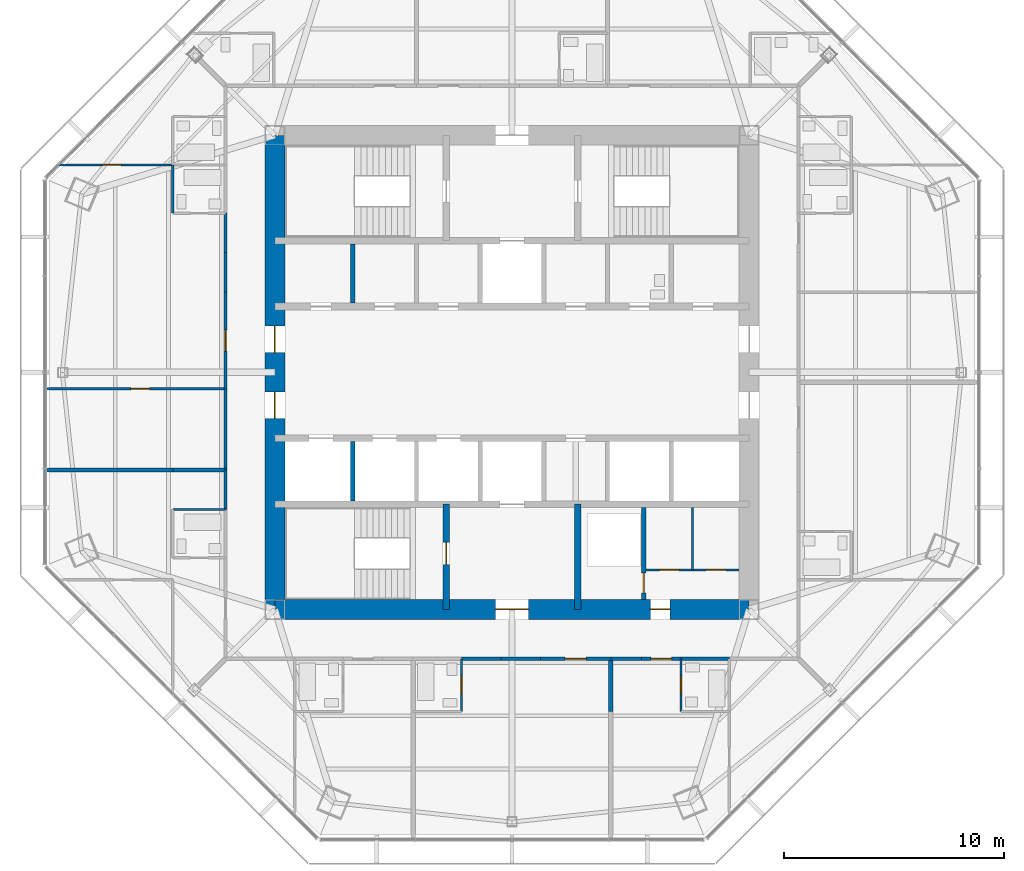
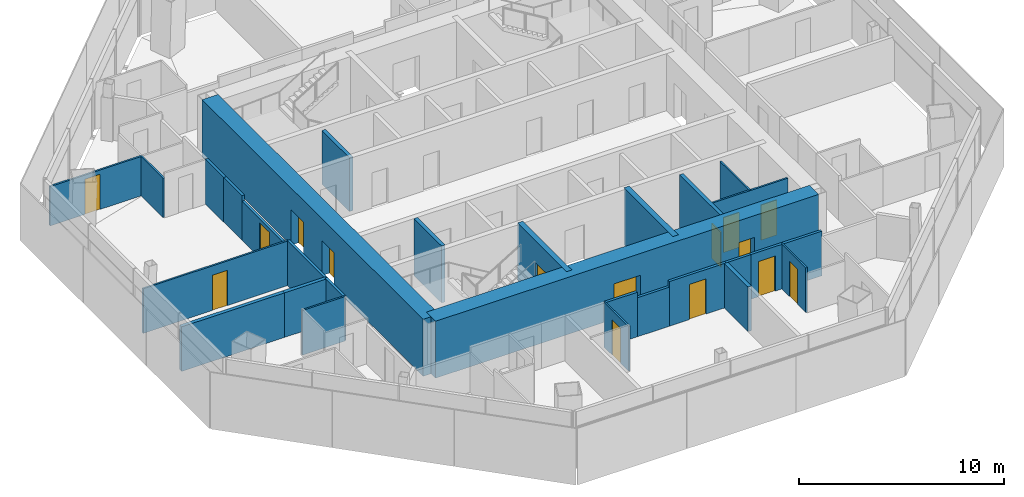
# One storey, part 9 of 14: 29 walls, 15 doors, 15 openings.
"""IFC4 building model written with IfcOpenShell, lengths in metres."""

from ifc_helpers import new_model, si_unit, direction, frame, frame_2d, origin, place, context, subcontext, project, spatial, rectangle, extrude, material, layer, layer_set, type_object, element, fill, save


model = new_model("IFC4")

# Units and contexts
model_context = context("Model", 3, precision=1e-05, world=origin(), true_north=direction((0.0, 1.0)))
body_context = subcontext(model_context, "Body", "Model", "MODEL_VIEW")
ifc_project = project(units=[si_unit("LENGTHUNIT", "METRE"), si_unit("AREAUNIT", "SQUARE_METRE"), si_unit("VOLUMEUNIT", "CUBIC_METRE"), si_unit("PLANEANGLEUNIT", "RADIAN"), si_unit("MASSUNIT", "GRAM", prefix="KILO")], contexts=[model_context])

# Site, building, storey
site_placement = place(None, origin())
site = spatial("IfcSite", under=ifc_project, at=site_placement, CompositionType="ELEMENT")
building_placement = place(site_placement, origin())
building = spatial("IfcBuilding", under=site, at=building_placement, Name="Mashrafa Tower", CompositionType="ELEMENT")
storey_placement = place(building_placement, frame((0.0, 0.0, 238.0)))
storey = spatial("IfcBuildingStorey", under=building, at=storey_placement, Name="L56", CompositionType="ELEMENT", Elevation=238.0)

# Walls
ifc_material_1 = material(Name="Gypsum board on steel studs", Category="steel")
ifc_layer_1 = layer(ifc_material_1, 0.199951171875)
ifc_layer_set_1 = layer_set([ifc_layer_1], Name="Acoustic partition 200 1 hr")
wall_type_1 = type_object("IfcWallType", Name="Acoustic partition 200 1 hr", PredefinedType="PARTITIONING", material=ifc_layer_set_1)
wall_1_placement = place(storey_placement, frame((-15.450927734375, -4.449951171875, 0.0), z_axis=(0.0, 0.0, 1.0), x_axis=(1.0, 0.0, 0.0)))
element("IfcWall", 1, at=wall_1_placement, inside=storey, type_object=wall_type_1, Name="Acoustic wall L56-078", PredefinedType="PARTITIONING", context=body_context, shape_type="SweptSolid", body=[
    extrude(rectangle(XDim=2.40087890625, YDim=0.199951171875, at=frame_2d((1.200439453125, 0.0))), origin(), (0.0, 0.0, 1.0), 2.66162109375),
])
wall_2_placement = place(storey_placement, frame((-21.263916015625, -4.449951171875, 0.0), z_axis=(0.0, 0.0, 1.0), x_axis=(1.0, 0.0, 0.0)))
element("IfcWall", 2, at=wall_2_placement, inside=storey, type_object=wall_type_1, Name="Acoustic wall L56-079", PredefinedType="PARTITIONING", context=body_context, shape_type="SweptSolid", body=[
    extrude(rectangle(XDim=5.81494140625, YDim=0.199951171875, at=frame_2d((2.907470703125, 0.0))), origin(), (0.0, 0.0, 1.0), 2.66162109375),
])
wall_3_placement = place(storey_placement, frame((4.5, -15.450927734375, 0.0), z_axis=(0.0, 0.0, 1.0), x_axis=(0.0, 1.0, 0.0)))
element("IfcWall", 3, at=wall_3_placement, inside=storey, type_object=wall_type_1, Name="Acoustic wall L56-094", PredefinedType="PARTITIONING", context=body_context, shape_type="SweptSolid", body=[
    extrude(rectangle(XDim=2.40087890625, YDim=0.199951171875, at=frame_2d((1.200439453125, 0.0))), origin(), (0.0, 0.0, 1.0), 2.66162109375),
])

# Wall, opening, door
ifc_material_2 = material(Name="Concrete masonry unit", Category="masonry")
ifc_layer_2 = layer(ifc_material_2, 0.199951171875)
ifc_layer_set_2 = layer_set([ifc_layer_2], Name="Blockwork wall 200 2 hr")
wall_type_2 = type_object("IfcWallType", Name="Blockwork wall 200 2 hr", PredefinedType="PARTITIONING", material=ifc_layer_set_2)
wall_4_placement = place(storey_placement, frame((6.0, -10.35009765625, 0.0), z_axis=(0.0, 0.0, 1.0), x_axis=(0.0, 1.0, 0.0)))
wall_4 = element("IfcWall", 4, at=wall_4_placement, inside=storey, type_object=wall_type_2, Name="Riser enclosure wall L56", PredefinedType="PARTITIONING", context=body_context, shape_type="SweptSolid", body=[
    extrude(rectangle(XDim=4.2001953125, YDim=0.199951171875, at=frame_2d((2.10009765625, 0.0))), origin(), (0.0, 0.0, 1.0), 3.199951171875),
])
opening_1_placement = place(wall_4_placement, frame((0.300048828125, 0.0, 0.0)))
opening_1 = element("IfcOpeningElement", 5, at=opening_1_placement, cuts=wall_4, Name="Opening 56.041", PredefinedType="OPENING", context=body_context, shape_type="SweptSolid", body=[
    extrude(rectangle(XDim=0.89990234375, YDim=2.10009765625, at=frame_2d((0.449951171875, 1.050048828125))), frame((0.0, 0.10986328125, 0.0), z_axis=(0.0, -1.0, 0.0), x_axis=(1.0, 0.0, 0.0)), (0.0, 0.0, 1.0), 0.219970703125),
])
ifc_material_3 = material(Name="Steel door", Category="steel")
door_type_1 = type_object("IfcDoorType", Name="Service door 900 x 2100 90 min", OperationType="USERDEFINED", PredefinedType="DOOR", material=ifc_material_3)
door_1_placement = place(opening_1_placement, origin())
door_1 = element("IfcDoor", 6, at=door_1_placement, inside=storey, type_object=door_type_1, Name="Riser door L56", OperationType="SINGLE_SWING_LEFT", OverallHeight=2.10009765625, OverallWidth=0.89990234375, PredefinedType="DOOR", context=body_context, shape_type="SweptSolid", body=[
    extrude(rectangle(XDim=0.89990234375, YDim=2.10009765625, at=frame_2d((0.449951171875, 1.050048828125))), frame((0.0, 0.02490234375, 0.0), z_axis=(0.0, -1.0, 0.0), x_axis=(1.0, 0.0, 0.0)), (0.0, 0.0, 1.0), 0.050048828125),
])
fill(opening_1, door_1)

ifc_material_4 = material(Name="Concrete C50/60", Category="concrete")
ifc_layer_3 = layer(ifc_material_4, 0.300048828125)
ifc_layer_set_3 = layer_set([ifc_layer_3], Name="Core wall 300 C50/60")
wall_type_3 = type_object("IfcWallType", Name="Core wall 300 C50/60", PredefinedType="SOLIDWALL", material=ifc_layer_set_3)
wall_5_placement = place(storey_placement, frame((-3.0, -6.0, 0.0), z_axis=(0.0, 0.0, 1.0), x_axis=(0.0, -1.0, 0.0)))
wall_5 = element("IfcWall", 7, at=wall_5_placement, inside=storey, type_object=wall_type_3, Name="Core wall CX-SW L56", PredefinedType="SOLIDWALL", context=body_context, shape_type="SweptSolid", body=[
    extrude(rectangle(XDim=4.800048828125, YDim=0.300048828125, at=frame_2d((2.39990234375, 0.0))), origin(), (0.0, 0.0, 1.0), 3.39990234375),
])
opening_2_placement = place(wall_5_placement, frame((1.75, 0.0, 0.0)))
opening_2 = element("IfcOpeningElement", 8, at=opening_2_placement, cuts=wall_5, Name="Opening 56.039", PredefinedType="OPENING", context=body_context, shape_type="SweptSolid", body=[
    extrude(rectangle(XDim=1.0, YDim=2.10009765625, at=frame_2d((0.5, 1.050048828125))), frame((0.0, 0.159912109375, 0.0), z_axis=(0.0, -1.0, 0.0), x_axis=(1.0, 0.0, 0.0)), (0.0, 0.0, 1.0), 0.320068359375),
])
ifc_material_5 = material(Name="Steel door", Category="steel")
door_type_2 = type_object("IfcDoorType", Name="Stair door 1000 x 2100 90 min", OperationType="USERDEFINED", PredefinedType="DOOR", material=ifc_material_5)
door_2_placement = place(opening_2_placement, frame((1.0, 0.0, 0.0), z_axis=(0.0, 0.0, 1.0), x_axis=(-1.0, 0.0, 0.0)))
door_2 = element("IfcDoor", 9, at=door_2_placement, inside=storey, type_object=door_type_2, Name="Stair S3 door L56", OperationType="SINGLE_SWING_RIGHT", OverallHeight=2.10009765625, OverallWidth=1.0, PredefinedType="DOOR", context=body_context, shape_type="SweptSolid", body=[
    extrude(rectangle(XDim=1.0, YDim=2.10009765625, at=frame_2d((0.5, 1.050048828125))), frame((0.0, 0.02490234375, 0.0), z_axis=(0.0, -1.0, 0.0), x_axis=(1.0, 0.0, 0.0)), (0.0, 0.0, 1.0), 0.050048828125),
])
fill(opening_2, door_2)

# Wall
wall_6_placement = place(storey_placement, frame((3.0, -6.0, 0.0), z_axis=(0.0, 0.0, 1.0), x_axis=(0.0, -1.0, 0.0)))
element("IfcWall", 10, at=wall_6_placement, inside=storey, type_object=wall_type_3, Name="Core wall CX-SE L56", PredefinedType="SOLIDWALL", context=body_context, shape_type="SweptSolid", body=[
    extrude(rectangle(XDim=4.800048828125, YDim=0.300048828125, at=frame_2d((2.39990234375, 0.0))), origin(), (0.0, 0.0, 1.0), 3.39990234375),
])

# Wall, openings, doors
ifc_material_6 = material(Name="Concrete C50/60", Category="concrete")
ifc_layer_4 = layer(ifc_material_6, 0.89990234375)
ifc_layer_set_4 = layer_set([ifc_layer_4], Name="Core wall 900 C50/60")
wall_type_4 = type_object("IfcWallType", Name="Core wall 900 C50/60", PredefinedType="SOLIDWALL", material=ifc_layer_set_4)
wall_7_placement = place(storey_placement, frame((-10.800048828125, -10.800048828125, 0.0), z_axis=(0.0, 0.0, 1.0), x_axis=(1.0, 0.0, 0.0)))
wall_7 = element("IfcWall", 11, at=wall_7_placement, inside=storey, type_object=wall_type_4, Name="Core wall CW-S L56", PredefinedType="SOLIDWALL", context=body_context, shape_type="SweptSolid", body=[
    extrude(rectangle(XDim=21.60009765625, YDim=0.89990234375, at=frame_2d((10.800048828125, 0.0))), origin(), (0.0, 0.0, 1.0), 3.39990234375),
])
opening_3_placement = place(wall_7_placement, frame((10.050048828125, 0.0, 0.0)))
opening_3 = element("IfcOpeningElement", 12, at=opening_3_placement, cuts=wall_7, Name="Opening 56.036", PredefinedType="OPENING", context=body_context, shape_type="SweptSolid", body=[
    extrude(rectangle(XDim=1.5, YDim=2.10009765625, at=frame_2d((0.75, 1.050048828125))), frame((0.0, 0.4599609375, 0.0), z_axis=(0.0, -1.0, 0.0), x_axis=(1.0, 0.0, 0.0)), (0.0, 0.0, 1.0), 0.919921875),
])
opening_4_placement = place(wall_7_placement, frame((17.10009765625, 0.0, 0.0)))
opening_4 = element("IfcOpeningElement", 13, at=opening_4_placement, cuts=wall_7, Name="Opening 56.040", PredefinedType="OPENING", context=body_context, shape_type="SweptSolid", body=[
    extrude(rectangle(XDim=0.89990234375, YDim=2.10009765625, at=frame_2d((0.449951171875, 1.050048828125))), frame((0.0, 0.4599609375, 0.0), z_axis=(0.0, -1.0, 0.0), x_axis=(1.0, 0.0, 0.0)), (0.0, 0.0, 1.0), 0.919921875),
])
ifc_material_7 = material(Name="Steel door", Category="steel")
door_type_3 = type_object("IfcDoorType", Name="Lobby door pair 1500 x 2100 90 min", OperationType="DOUBLE_DOOR_SINGLE_SWING", PredefinedType="DOOR", material=ifc_material_7)
door_3_placement = place(opening_3_placement, origin())
door_3 = element("IfcDoor", 14, at=door_3_placement, inside=storey, type_object=door_type_3, Name="Fire-fighting lobby F2 door L56", OperationType="DOUBLE_DOOR_SINGLE_SWING", OverallHeight=2.10009765625, OverallWidth=1.5, PredefinedType="DOOR", context=body_context, shape_type="SweptSolid", body=[
    extrude(rectangle(XDim=1.5, YDim=2.10009765625, at=frame_2d((0.75, 1.050048828125))), frame((0.0, 0.02490234375, 0.0), z_axis=(0.0, -1.0, 0.0), x_axis=(1.0, 0.0, 0.0)), (0.0, 0.0, 1.0), 0.050048828125),
])
fill(opening_3, door_3)
door_4_placement = place(opening_4_placement, frame((0.89990234375, 0.0, 0.0), z_axis=(0.0, 0.0, 1.0), x_axis=(-1.0, 0.0, 0.0)))
door_4 = element("IfcDoor", 15, at=door_4_placement, inside=storey, type_object=door_type_1, Name="Services Lobby L56 door", OperationType="SINGLE_SWING_LEFT", OverallHeight=2.10009765625, OverallWidth=0.89990234375, PredefinedType="DOOR", context=body_context, shape_type="SweptSolid", body=[
    extrude(rectangle(XDim=0.89990234375, YDim=2.10009765625, at=frame_2d((0.449951171875, 1.050048828125))), frame((0.0, 0.02490234375, 0.0), z_axis=(0.0, -1.0, 0.0), x_axis=(1.0, 0.0, 0.0)), (0.0, 0.0, 1.0), 0.050048828125),
])
fill(opening_4, door_4)

wall_8_placement = place(storey_placement, frame((-10.800048828125, 10.800048828125, 0.0), z_axis=(0.0, 0.0, 1.0), x_axis=(0.0, -1.0, 0.0)))
wall_8 = element("IfcWall", 16, at=wall_8_placement, inside=storey, type_object=wall_type_4, Name="Core wall CW-W L56", PredefinedType="SOLIDWALL", context=body_context, shape_type="SweptSolid", body=[
    extrude(rectangle(XDim=21.60009765625, YDim=0.89990234375, at=frame_2d((10.800048828125, 0.0))), origin(), (0.0, 0.0, 1.0), 3.39990234375),
])
opening_5_placement = place(wall_8_placement, frame((8.699951171875, 0.0, 0.0)))
opening_5 = element("IfcOpeningElement", 17, at=opening_5_placement, cuts=wall_8, Name="Opening 56.032", PredefinedType="OPENING", context=body_context, shape_type="SweptSolid", body=[
    extrude(rectangle(XDim=1.199951171875, YDim=2.10009765625, at=frame_2d((0.60009765625, 1.050048828125))), frame((0.0, 0.4599609375, 0.0), z_axis=(0.0, -1.0, 0.0), x_axis=(1.0, 0.0, 0.0)), (0.0, 0.0, 1.0), 0.919921875),
])
opening_6_placement = place(wall_8_placement, frame((11.699951171875, 0.0, 0.0)))
opening_6 = element("IfcOpeningElement", 18, at=opening_6_placement, cuts=wall_8, Name="Opening 56.034", PredefinedType="OPENING", context=body_context, shape_type="SweptSolid", body=[
    extrude(rectangle(XDim=1.199951171875, YDim=2.10009765625, at=frame_2d((0.60009765625, 1.050048828125))), frame((0.0, 0.4599609375, 0.0), z_axis=(0.0, -1.0, 0.0), x_axis=(1.0, 0.0, 0.0)), (0.0, 0.0, 1.0), 0.919921875),
])
ifc_material_8 = material(Name="Steel door", Category="steel")
door_type_4 = type_object("IfcDoorType", Name="Lift hall door 1200 x 2100 90 min", OperationType="USERDEFINED", PredefinedType="DOOR", material=ifc_material_8)
door_5_placement = place(opening_5_placement, frame((1.199951171875, 0.0, 0.0), z_axis=(0.0, 0.0, 1.0), x_axis=(-1.0, 0.0, 0.0)))
door_5 = element("IfcDoor", 19, at=door_5_placement, inside=storey, type_object=door_type_4, Name="Lift hall door west L56", OperationType="SINGLE_SWING_RIGHT", OverallHeight=2.10009765625, OverallWidth=1.199951171875, PredefinedType="DOOR", context=body_context, shape_type="SweptSolid", body=[
    extrude(rectangle(XDim=1.199951171875, YDim=2.10009765625, at=frame_2d((0.60009765625, 1.050048828125))), frame((0.0, 0.02490234375, 0.0), z_axis=(0.0, -1.0, 0.0), x_axis=(1.0, 0.0, 0.0)), (0.0, 0.0, 1.0), 0.050048828125),
])
fill(opening_5, door_5)
door_6_placement = place(opening_6_placement, frame((1.199951171875, 0.0, 0.0), z_axis=(0.0, 0.0, 1.0), x_axis=(-1.0, 0.0, 0.0)))
door_6 = element("IfcDoor", 20, at=door_6_placement, inside=storey, type_object=door_type_4, Name="Lift hall door west L56", OperationType="SINGLE_SWING_LEFT", OverallHeight=2.10009765625, OverallWidth=1.199951171875, PredefinedType="DOOR", context=body_context, shape_type="SweptSolid", body=[
    extrude(rectangle(XDim=1.199951171875, YDim=2.10009765625, at=frame_2d((0.60009765625, 1.050048828125))), frame((0.0, 0.02490234375, 0.0), z_axis=(0.0, -1.0, 0.0), x_axis=(1.0, 0.0, 0.0)), (0.0, 0.0, 1.0), 0.050048828125),
])
fill(opening_6, door_6)

# Walls
ifc_material_9 = material(Name="Gypsum board on steel studs", Category="steel")
ifc_layer_5 = layer(ifc_material_9, 0.14990234375)
ifc_layer_set_5 = layer_set([ifc_layer_5], Name="Corridor partition 150 1 hr")
wall_type_5 = type_object("IfcWallType", Name="Corridor partition 150 1 hr", PredefinedType="PARTITIONING", material=ifc_layer_set_5)
wall_9_placement = place(storey_placement, frame((-13.050048828125, 5.450927734375, 0.0), z_axis=(0.0, 0.0, 1.0), x_axis=(0.0, -1.0, 0.0)))
element("IfcWall", 21, at=wall_9_placement, inside=storey, type_object=wall_type_5, Name="Corridor wall L56-027", PredefinedType="PARTITIONING", context=body_context, shape_type="SweptSolid", body=[
    extrude(rectangle(XDim=1.802001953125, YDim=0.14990234375, at=frame_2d((0.90087890625, 0.0))), origin(), (0.0, 0.0, 1.0), 2.66162109375),
])
wall_10_placement = place(storey_placement, frame((-13.050048828125, -0.7490234375, 0.0), z_axis=(0.0, 0.0, 1.0), x_axis=(0.0, -1.0, 0.0)))
element("IfcWall", 22, at=wall_10_placement, inside=storey, type_object=wall_type_5, Name="Corridor wall L56-028", PredefinedType="PARTITIONING", context=body_context, shape_type="SweptSolid", body=[
    extrude(rectangle(XDim=3.701904296875, YDim=0.14990234375, at=frame_2d((1.85107421875, 0.0))), origin(), (0.0, 0.0, 1.0), 2.66162109375),
])

# Wall, opening, door
wall_11_placement = place(storey_placement, frame((-13.050048828125, 3.65087890625, 0.0), z_axis=(0.0, 0.0, 1.0), x_axis=(0.0, -1.0, 0.0)))
wall_11 = element("IfcWall", 23, at=wall_11_placement, inside=storey, type_object=wall_type_5, Name="Corridor wall L56-029", PredefinedType="PARTITIONING", context=body_context, shape_type="SweptSolid", body=[
    extrude(rectangle(XDim=4.40185546875, YDim=0.14990234375, at=frame_2d((2.200927734375, 0.0))), origin(), (0.0, 0.0, 1.0), 2.33154296875),
])
opening_7_placement = place(wall_11_placement, frame((1.72607421875, 0.0, 0.0)))
opening_7 = element("IfcOpeningElement", 24, at=opening_7_placement, cuts=wall_11, Name="Opening 56.019", PredefinedType="OPENING", context=body_context, shape_type="SweptSolid", body=[
    extrude(rectangle(XDim=0.949951171875, YDim=2.10009765625, at=frame_2d((0.47509765625, 1.050048828125))), frame((0.0, 0.0849609375, 0.0), z_axis=(0.0, -1.0, 0.0), x_axis=(1.0, 0.0, 0.0)), (0.0, 0.0, 1.0), 0.169921875),
])
ifc_material_10 = material(Name="Steel door", Category="steel")
door_type_5 = type_object("IfcDoorType", Name="Residence entrance door 950 x 2100 20 min", OperationType="USERDEFINED", PredefinedType="DOOR", material=ifc_material_10)
door_7_placement = place(opening_7_placement, frame((0.949951171875, 0.0, 0.0), z_axis=(0.0, 0.0, 1.0), x_axis=(-1.0, 0.0, 0.0)))
door_7 = element("IfcDoor", 25, at=door_7_placement, inside=storey, type_object=door_type_5, Name="Apartment 5606 Living Room door", OperationType="SINGLE_SWING_LEFT", OverallHeight=2.10009765625, OverallWidth=0.949951171875, PredefinedType="DOOR", context=body_context, shape_type="SweptSolid", body=[
    extrude(rectangle(XDim=0.949951171875, YDim=2.10009765625, at=frame_2d((0.47509765625, 1.050048828125))), frame((0.0, 0.02490234375, 0.0), z_axis=(0.0, -1.0, 0.0), x_axis=(1.0, 0.0, 0.0)), (0.0, 0.0, 1.0), 0.050048828125),
])
fill(opening_7, door_7)

# Walls
for number, where, z_axis, x_axis, name in (
    (26, (-13.050048828125, 7.2509765625, 0.0), (0.0, 0.0, 1.0), (0.0, -1.0, 0.0), "Corridor wall L56-030"),
    (27, (-13.050048828125, -4.448974609375, 0.0), (0.0, 0.0, 1.0), (0.0, -1.0, 0.0), "Corridor wall L56-032"),
):
    element("IfcWall", number, at=place(storey_placement, frame(where, z_axis=z_axis, x_axis=x_axis)), inside=storey, type_object=wall_type_5, Name=name, PredefinedType="PARTITIONING", context=body_context, shape_type="SweptSolid", body=[
        extrude(rectangle(XDim=1.802001953125, YDim=0.14990234375, at=frame_2d((0.90087890625, 0.0))), origin(), (0.0, 0.0, 1.0), 2.66162109375),
    ])
wall_12_placement = place(storey_placement, frame((-0.5009765625, -13.050048828125, 0.0), z_axis=(0.0, 0.0, 1.0), x_axis=(1.0, 0.0, 0.0)))
element("IfcWall", 28, at=wall_12_placement, inside=storey, type_object=wall_type_5, Name="Corridor wall L56-039", PredefinedType="PARTITIONING", context=body_context, shape_type="SweptSolid", body=[
    extrude(rectangle(XDim=1.802001953125, YDim=0.14990234375, at=frame_2d((0.90087890625, 0.0))), origin(), (0.0, 0.0, 1.0), 2.33154296875),
])
wall_13_placement = place(storey_placement, frame((-2.301025390625, -13.050048828125, 0.0), z_axis=(0.0, 0.0, 1.0), x_axis=(1.0, 0.0, 0.0)))
element("IfcWall", 29, at=wall_13_placement, inside=storey, type_object=wall_type_5, Name="Corridor wall L56-040", PredefinedType="PARTITIONING", context=body_context, shape_type="SweptSolid", body=[
    extrude(rectangle(XDim=1.802001953125, YDim=0.14990234375, at=frame_2d((0.90087890625, 0.0))), origin(), (0.0, 0.0, 1.0), 2.66162109375),
])

# Wall, opening, door
wall_14_placement = place(storey_placement, frame((1.299072265625, -13.050048828125, 0.0), z_axis=(0.0, 0.0, 1.0), x_axis=(1.0, 0.0, 0.0)))
wall_14 = element("IfcWall", 30, at=wall_14_placement, inside=storey, type_object=wall_type_5, Name="Corridor wall L56-041", PredefinedType="PARTITIONING", context=body_context, shape_type="SweptSolid", body=[
    extrude(rectangle(XDim=3.201904296875, YDim=0.14990234375, at=frame_2d((1.60107421875, 0.0))), origin(), (0.0, 0.0, 1.0), 2.66162109375),
])
opening_8_placement = place(wall_14_placement, frame((1.1259765625, 0.0, 0.0)))
opening_8 = element("IfcOpeningElement", 31, at=opening_8_placement, cuts=wall_14, Name="Opening 56.027", PredefinedType="OPENING", context=body_context, shape_type="SweptSolid", body=[
    extrude(rectangle(XDim=0.949951171875, YDim=2.10009765625, at=frame_2d((0.47509765625, 1.050048828125))), frame((0.0, 0.0849609375, 0.0), z_axis=(0.0, -1.0, 0.0), x_axis=(1.0, 0.0, 0.0)), (0.0, 0.0, 1.0), 0.169921875),
])
door_8_placement = place(opening_8_placement, frame((0.949951171875, 0.0, 0.0), z_axis=(0.0, 0.0, 1.0), x_axis=(-1.0, 0.0, 0.0)))
door_8 = element("IfcDoor", 32, at=door_8_placement, inside=storey, type_object=door_type_5, Name="Apartment 5609 Studio Living Room door", OperationType="SINGLE_SWING_LEFT", OverallHeight=2.10009765625, OverallWidth=0.949951171875, PredefinedType="DOOR", context=body_context, shape_type="SweptSolid", body=[
    extrude(rectangle(XDim=0.949951171875, YDim=2.10009765625, at=frame_2d((0.47509765625, 1.050048828125))), frame((0.0, 0.02490234375, 0.0), z_axis=(0.0, -1.0, 0.0), x_axis=(1.0, 0.0, 0.0)), (0.0, 0.0, 1.0), 0.050048828125),
])
fill(opening_8, door_8)

# Walls
wall_15_placement = place(storey_placement, frame((7.698974609375, -13.050048828125, 0.0), z_axis=(0.0, 0.0, 1.0), x_axis=(1.0, 0.0, 0.0)))
element("IfcWall", 33, at=wall_15_placement, inside=storey, type_object=wall_type_5, Name="Corridor wall L56-043", PredefinedType="PARTITIONING", context=body_context, shape_type="SweptSolid", body=[
    extrude(rectangle(XDim=2.201904296875, YDim=0.14990234375, at=frame_2d((1.10107421875, 0.0))), origin(), (0.0, 0.0, 1.0), 2.66162109375),
])
wall_16_placement = place(storey_placement, frame((4.4990234375, -13.050048828125, 0.0), z_axis=(0.0, 0.0, 1.0), x_axis=(1.0, 0.0, 0.0)))
element("IfcWall", 34, at=wall_16_placement, inside=storey, type_object=wall_type_5, Name="Corridor wall L56-044", PredefinedType="PARTITIONING", context=body_context, shape_type="SweptSolid", body=[
    extrude(rectangle(XDim=1.40185546875, YDim=0.14990234375, at=frame_2d((0.700927734375, 0.0))), origin(), (0.0, 0.0, 1.0), 2.66162109375),
])

# Wall, opening, door
wall_17_placement = place(storey_placement, frame((5.89892578125, -13.050048828125, 0.0), z_axis=(0.0, 0.0, 1.0), x_axis=(1.0, 0.0, 0.0)))
wall_17 = element("IfcWall", 35, at=wall_17_placement, inside=storey, type_object=wall_type_5, Name="Corridor wall L56-045", PredefinedType="PARTITIONING", context=body_context, shape_type="SweptSolid", body=[
    extrude(rectangle(XDim=1.802001953125, YDim=0.14990234375, at=frame_2d((0.90087890625, 0.0))), origin(), (0.0, 0.0, 1.0), 2.66162109375),
])
opening_9_placement = place(wall_17_placement, frame((0.426025390625, 0.0, 0.0)))
opening_9 = element("IfcOpeningElement", 36, at=opening_9_placement, cuts=wall_17, Name="Opening 56.030", PredefinedType="OPENING", context=body_context, shape_type="SweptSolid", body=[
    extrude(rectangle(XDim=0.949951171875, YDim=2.10009765625, at=frame_2d((0.47509765625, 1.050048828125))), frame((0.0, 0.0849609375, 0.0), z_axis=(0.0, -1.0, 0.0), x_axis=(1.0, 0.0, 0.0)), (0.0, 0.0, 1.0), 0.169921875),
])
door_9_placement = place(opening_9_placement, frame((0.949951171875, 0.0, 0.0), z_axis=(0.0, 0.0, 1.0), x_axis=(-1.0, 0.0, 0.0)))
door_9 = element("IfcDoor", 37, at=door_9_placement, inside=storey, type_object=door_type_5, Name="Apartment 5610 Living Room door", OperationType="SINGLE_SWING_RIGHT", OverallHeight=2.10009765625, OverallWidth=0.949951171875, PredefinedType="DOOR", context=body_context, shape_type="SweptSolid", body=[
    extrude(rectangle(XDim=0.949951171875, YDim=2.10009765625, at=frame_2d((0.47509765625, 1.050048828125))), frame((0.0, 0.02490234375, 0.0), z_axis=(0.0, -1.0, 0.0), x_axis=(1.0, 0.0, 0.0)), (0.0, 0.0, 1.0), 0.050048828125),
])
fill(opening_9, door_9)

ifc_material_11 = material(Name="Gypsum board on steel studs", Category="steel")
ifc_layer_6 = layer(ifc_material_11, 0.10009765625)
ifc_layer_set_6 = layer_set([ifc_layer_6], Name="Partition 100")
wall_type_6 = type_object("IfcWallType", Name="Partition 100", PredefinedType="PARTITIONING", material=ifc_layer_set_6)
wall_18_placement = place(storey_placement, frame((-20.62548828125, 9.449951171875, 0.0), z_axis=(0.0, 0.0, 1.0), x_axis=(1.0, 0.0, 0.0)))
wall_18 = element("IfcWall", 38, at=wall_18_placement, inside=storey, type_object=wall_type_6, Name="Partition wall L56-074", PredefinedType="PARTITIONING", context=body_context, shape_type="SweptSolid", body=[
    extrude(rectangle(XDim=5.175537109375, YDim=0.10009765625, at=frame_2d((2.587890625, 0.0))), origin(), (0.0, 0.0, 1.0), 2.349365234375),
])
opening_10_placement = place(wall_18_placement, frame((1.9658203125, 0.0, 0.0)))
opening_10 = element("IfcOpeningElement", 39, at=opening_10_placement, cuts=wall_18, Name="Opening 56.016", PredefinedType="OPENING", context=body_context, shape_type="SweptSolid", body=[
    extrude(rectangle(XDim=0.85009765625, YDim=2.10009765625, at=frame_2d((0.425048828125, 1.050048828125))), frame((0.0, 0.06005859375, 0.0), z_axis=(0.0, -1.0, 0.0), x_axis=(1.0, 0.0, 0.0)), (0.0, 0.0, 1.0), 0.1201171875),
])
ifc_material_12 = material(Name="Timber door", Category="wood")
door_type_6 = type_object("IfcDoorType", Name="Bedroom door 850 x 2100", OperationType="USERDEFINED", PredefinedType="DOOR", material=ifc_material_12)
door_10_placement = place(opening_10_placement, origin())
door_10 = element("IfcDoor", 40, at=door_10_placement, inside=storey, type_object=door_type_6, Name="Apartment 5606 Bedroom 1 door", OperationType="SINGLE_SWING_LEFT", OverallHeight=2.10009765625, OverallWidth=0.85009765625, PredefinedType="DOOR", context=body_context, shape_type="SweptSolid", body=[
    extrude(rectangle(XDim=0.85009765625, YDim=2.10009765625, at=frame_2d((0.425048828125, 1.050048828125))), frame((0.0, 0.02490234375, 0.0), z_axis=(0.0, -1.0, 0.0), x_axis=(1.0, 0.0, 0.0)), (0.0, 0.0, 1.0), 0.050048828125),
])
fill(opening_10, door_10)

# Wall
wall_19_placement = place(storey_placement, frame((-15.449951171875, 9.449951171875, 0.0), z_axis=(0.0, 0.0, 1.0), x_axis=(0.0, -1.0, 0.0)))
element("IfcWall", 41, at=wall_19_placement, inside=storey, type_object=wall_type_6, Name="Partition wall L56-075", PredefinedType="PARTITIONING", context=body_context, shape_type="SweptSolid", body=[
    extrude(rectangle(XDim=2.199951171875, YDim=0.10009765625, at=frame_2d((1.10009765625, 0.0))), origin(), (0.0, 0.0, 1.0), 2.349365234375),
])

# Wall, opening, door
wall_20_placement = place(storey_placement, frame((-13.050048828125, -0.75, 0.0), z_axis=(0.0, 0.0, 1.0), x_axis=(-1.0, 0.0, 0.0)))
wall_20 = element("IfcWall", 42, at=wall_20_placement, inside=storey, type_object=wall_type_6, Name="Partition wall L56-077", PredefinedType="PARTITIONING", context=body_context, shape_type="SweptSolid", body=[
    extrude(rectangle(XDim=8.216064453125, YDim=0.10009765625, at=frame_2d((4.10791015625, 0.0))), origin(), (0.0, 0.0, 1.0), 2.66162109375),
])
opening_11_placement = place(wall_20_placement, frame((3.466064453125, 0.0, 0.0)))
opening_11 = element("IfcOpeningElement", 43, at=opening_11_placement, cuts=wall_20, Name="Opening 56.018", PredefinedType="OPENING", context=body_context, shape_type="SweptSolid", body=[
    extrude(rectangle(XDim=0.85009765625, YDim=2.10009765625, at=frame_2d((0.425048828125, 1.050048828125))), frame((0.0, 0.06005859375, 0.0), z_axis=(0.0, -1.0, 0.0), x_axis=(1.0, 0.0, 0.0)), (0.0, 0.0, 1.0), 0.1201171875),
])
door_11_placement = place(opening_11_placement, origin())
door_11 = element("IfcDoor", 44, at=door_11_placement, inside=storey, type_object=door_type_6, Name="Apartment 5606 Bedroom 2 door", OperationType="SINGLE_SWING_LEFT", OverallHeight=2.10009765625, OverallWidth=0.85009765625, PredefinedType="DOOR", context=body_context, shape_type="SweptSolid", body=[
    extrude(rectangle(XDim=0.85009765625, YDim=2.10009765625, at=frame_2d((0.425048828125, 1.050048828125))), frame((0.0, 0.02490234375, 0.0), z_axis=(0.0, -1.0, 0.0), x_axis=(1.0, 0.0, 0.0)), (0.0, 0.0, 1.0), 0.050048828125),
])
fill(opening_11, door_11)

# Wall
wall_21_placement = place(storey_placement, frame((-13.050048828125, -6.25, 0.0), z_axis=(0.0, 0.0, 1.0), x_axis=(-1.0, 0.0, 0.0)))
element("IfcWall", 45, at=wall_21_placement, inside=storey, type_object=wall_type_6, Name="Partition wall L56-082", PredefinedType="PARTITIONING", context=body_context, shape_type="SweptSolid", body=[
    extrude(rectangle(XDim=2.39990234375, YDim=0.10009765625, at=frame_2d((1.199951171875, 0.0))), origin(), (0.0, 0.0, 1.0), 2.66162109375),
])

# Wall, opening, door
wall_22_placement = place(storey_placement, frame((-2.300048828125, -15.449951171875, 0.0), z_axis=(0.0, 0.0, 1.0), x_axis=(0.0, 1.0, 0.0)))
wall_22 = element("IfcWall", 46, at=wall_22_placement, inside=storey, type_object=wall_type_6, Name="Partition wall L56-093", PredefinedType="PARTITIONING", context=body_context, shape_type="SweptSolid", body=[
    extrude(rectangle(XDim=2.39990234375, YDim=0.10009765625, at=frame_2d((1.199951171875, 0.0))), origin(), (0.0, 0.0, 1.0), 2.66162109375),
])
opening_12_placement = place(wall_22_placement, frame((0.800048828125, 0.0, 0.0)))
opening_12 = element("IfcOpeningElement", 47, at=opening_12_placement, cuts=wall_22, Name="Opening 56.026", PredefinedType="OPENING", context=body_context, shape_type="SweptSolid", body=[
    extrude(rectangle(XDim=0.800048828125, YDim=2.10009765625, at=frame_2d((0.39990234375, 1.050048828125))), frame((0.0, 0.06005859375, 0.0), z_axis=(0.0, -1.0, 0.0), x_axis=(1.0, 0.0, 0.0)), (0.0, 0.0, 1.0), 0.1201171875),
])
ifc_material_13 = material(Name="Timber door", Category="wood")
door_type_7 = type_object("IfcDoorType", Name="Bathroom door 800 x 2100", OperationType="USERDEFINED", PredefinedType="DOOR", material=ifc_material_13)
door_12_placement = place(opening_12_placement, origin())
door_12 = element("IfcDoor", 48, at=door_12_placement, inside=storey, type_object=door_type_7, Name="Apartment 5609 Bathroom door", OperationType="SINGLE_SWING_RIGHT", OverallHeight=2.10009765625, OverallWidth=0.800048828125, PredefinedType="DOOR", context=body_context, shape_type="SweptSolid", body=[
    extrude(rectangle(XDim=0.800048828125, YDim=2.10009765625, at=frame_2d((0.39990234375, 1.050048828125))), frame((0.0, 0.02490234375, 0.0), z_axis=(0.0, -1.0, 0.0), x_axis=(1.0, 0.0, 0.0)), (0.0, 0.0, 1.0), 0.050048828125),
])
fill(opening_12, door_12)

wall_23_placement = place(storey_placement, frame((7.699951171875, -13.050048828125, 0.0), z_axis=(0.0, 0.0, 1.0), x_axis=(0.0, -1.0, 0.0)))
wall_23 = element("IfcWall", 49, at=wall_23_placement, inside=storey, type_object=wall_type_6, Name="Partition wall L56-098", PredefinedType="PARTITIONING", context=body_context, shape_type="SweptSolid", body=[
    extrude(rectangle(XDim=2.39990234375, YDim=0.10009765625, at=frame_2d((1.199951171875, 0.0))), origin(), (0.0, 0.0, 1.0), 2.66162109375),
])
opening_13_placement = place(wall_23_placement, frame((0.800048828125, 0.0, 0.0)))
opening_13 = element("IfcOpeningElement", 50, at=opening_13_placement, cuts=wall_23, Name="Opening 56.029", PredefinedType="OPENING", context=body_context, shape_type="SweptSolid", body=[
    extrude(rectangle(XDim=0.800048828125, YDim=2.10009765625, at=frame_2d((0.39990234375, 1.050048828125))), frame((0.0, 0.06005859375, 0.0), z_axis=(0.0, -1.0, 0.0), x_axis=(1.0, 0.0, 0.0)), (0.0, 0.0, 1.0), 0.1201171875),
])
door_13_placement = place(opening_13_placement, origin())
door_13 = element("IfcDoor", 51, at=door_13_placement, inside=storey, type_object=door_type_7, Name="Apartment 5610 Bathroom door", OperationType="SINGLE_SWING_RIGHT", OverallHeight=2.10009765625, OverallWidth=0.800048828125, PredefinedType="DOOR", context=body_context, shape_type="SweptSolid", body=[
    extrude(rectangle(XDim=0.800048828125, YDim=2.10009765625, at=frame_2d((0.39990234375, 1.050048828125))), frame((0.0, 0.02490234375, 0.0), z_axis=(0.0, -1.0, 0.0), x_axis=(1.0, 0.0, 0.0)), (0.0, 0.0, 1.0), 0.050048828125),
])
fill(opening_13, door_13)

# Wall, openings, doors
ifc_material_14 = material(Name="Gypsum board on steel studs", Category="steel")
ifc_layer_7 = layer(ifc_material_14, 0.10009765625)
ifc_layer_set_7 = layer_set([ifc_layer_7], Name="Partition 100 1 hr")
wall_type_7 = type_object("IfcWallType", Name="Partition 100 1 hr", PredefinedType="PARTITIONING", material=ifc_layer_set_7)
wall_24_placement = place(storey_placement, frame((6.10009765625, -9.0, 0.0), z_axis=(0.0, 0.0, 1.0), x_axis=(1.0, 0.0, 0.0)))
wall_24 = element("IfcWall", 52, at=wall_24_placement, inside=storey, type_object=wall_type_7, Name="Services lobby partition A L56", PredefinedType="PARTITIONING", context=body_context, shape_type="SweptSolid", body=[
    extrude(rectangle(XDim=4.25, YDim=0.10009765625, at=frame_2d((2.125, 0.0))), origin(), (0.0, 0.0, 1.0), 3.199951171875),
])
opening_14_placement = place(wall_24_placement, frame((0.612548828125, 0.0, 0.0)))
opening_14 = element("IfcOpeningElement", 53, at=opening_14_placement, cuts=wall_24, Name="Opening 56.042", PredefinedType="OPENING", context=body_context, shape_type="SweptSolid", body=[
    extrude(rectangle(XDim=0.89990234375, YDim=2.10009765625, at=frame_2d((0.449951171875, 1.050048828125))), frame((0.0, 0.06005859375, 0.0), z_axis=(0.0, -1.0, 0.0), x_axis=(1.0, 0.0, 0.0)), (0.0, 0.0, 1.0), 0.1201171875),
])
opening_15_placement = place(wall_24_placement, frame((2.737548828125, 0.0, 0.0)))
opening_15 = element("IfcOpeningElement", 54, at=opening_15_placement, cuts=wall_24, Name="Opening 56.043", PredefinedType="OPENING", context=body_context, shape_type="SweptSolid", body=[
    extrude(rectangle(XDim=0.89990234375, YDim=2.10009765625, at=frame_2d((0.449951171875, 1.050048828125))), frame((0.0, 0.06005859375, 0.0), z_axis=(0.0, -1.0, 0.0), x_axis=(1.0, 0.0, 0.0)), (0.0, 0.0, 1.0), 0.1201171875),
])
ifc_material_15 = material(Name="Timber door", Category="wood")
door_type_8 = type_object("IfcDoorType", Name="Store door 900 x 2100", OperationType="USERDEFINED", PredefinedType="DOOR", material=ifc_material_15)
door_14_placement = place(opening_14_placement, origin())
door_14 = element("IfcDoor", 55, at=door_14_placement, inside=storey, type_object=door_type_8, Name="Cleaner's Store L56 door", OperationType="SINGLE_SWING_RIGHT", OverallHeight=2.10009765625, OverallWidth=0.89990234375, PredefinedType="DOOR", context=body_context, shape_type="SweptSolid", body=[
    extrude(rectangle(XDim=0.89990234375, YDim=2.10009765625, at=frame_2d((0.449951171875, 1.050048828125))), frame((0.0, 0.02490234375, 0.0), z_axis=(0.0, -1.0, 0.0), x_axis=(1.0, 0.0, 0.0)), (0.0, 0.0, 1.0), 0.050048828125),
])
fill(opening_14, door_14)
door_15_placement = place(opening_15_placement, origin())
door_15 = element("IfcDoor", 56, at=door_15_placement, inside=storey, type_object=door_type_8, Name="Building Services Store L56 door", OperationType="SINGLE_SWING_LEFT", OverallHeight=2.10009765625, OverallWidth=0.89990234375, PredefinedType="DOOR", context=body_context, shape_type="SweptSolid", body=[
    extrude(rectangle(XDim=0.89990234375, YDim=2.10009765625, at=frame_2d((0.449951171875, 1.050048828125))), frame((0.0, 0.02490234375, 0.0), z_axis=(0.0, -1.0, 0.0), x_axis=(1.0, 0.0, 0.0)), (0.0, 0.0, 1.0), 0.050048828125),
])
fill(opening_15, door_15)

# Walls
wall_25_placement = place(storey_placement, frame((8.22509765625, -9.0, 0.0), z_axis=(0.0, 0.0, 1.0), x_axis=(0.0, 1.0, 0.0)))
element("IfcWall", 57, at=wall_25_placement, inside=storey, type_object=wall_type_7, Name="Services lobby partition B L56", PredefinedType="PARTITIONING", context=body_context, shape_type="SweptSolid", body=[
    extrude(rectangle(XDim=2.85009765625, YDim=0.10009765625, at=frame_2d((1.425048828125, 0.0))), origin(), (0.0, 0.0, 1.0), 3.199951171875),
])
ifc_material_16 = material(Name="Gypsum shaft wall on steel studs", Category="steel")
ifc_layer_8 = layer(ifc_material_16, 0.199951171875)
ifc_layer_set_8 = layer_set([ifc_layer_8], Name="Shaft divider wall 200 2 hr")
wall_type_8 = type_object("IfcWallType", Name="Shaft divider wall 200 2 hr", PredefinedType="PARTITIONING", material=ifc_layer_set_8)
wall_26_placement = place(storey_placement, frame((-7.25, 3.14990234375, 0.0), z_axis=(0.0, 0.0, 1.0), x_axis=(0.0, 1.0, 0.0)))
element("IfcWall", 58, at=wall_26_placement, inside=storey, type_object=wall_type_8, Name="Shaft divider wall N1 L56", PredefinedType="PARTITIONING", context=body_context, shape_type="SweptSolid", body=[
    extrude(rectangle(XDim=2.7001953125, YDim=0.199951171875, at=frame_2d((1.35009765625, 0.0))), origin(), (0.0, 0.0, 1.0), 3.199951171875),
])
wall_27_placement = place(storey_placement, frame((-7.25, -5.85009765625, 0.0), z_axis=(0.0, 0.0, 1.0), x_axis=(0.0, 1.0, 0.0)))
element("IfcWall", 59, at=wall_27_placement, inside=storey, type_object=wall_type_8, Name="Shaft divider wall S1 L56", PredefinedType="PARTITIONING", context=body_context, shape_type="SweptSolid", body=[
    extrude(rectangle(XDim=2.7001953125, YDim=0.199951171875, at=frame_2d((1.35009765625, 0.0))), origin(), (0.0, 0.0, 1.0), 3.39990234375),
])

save(model, "model.ifc")
